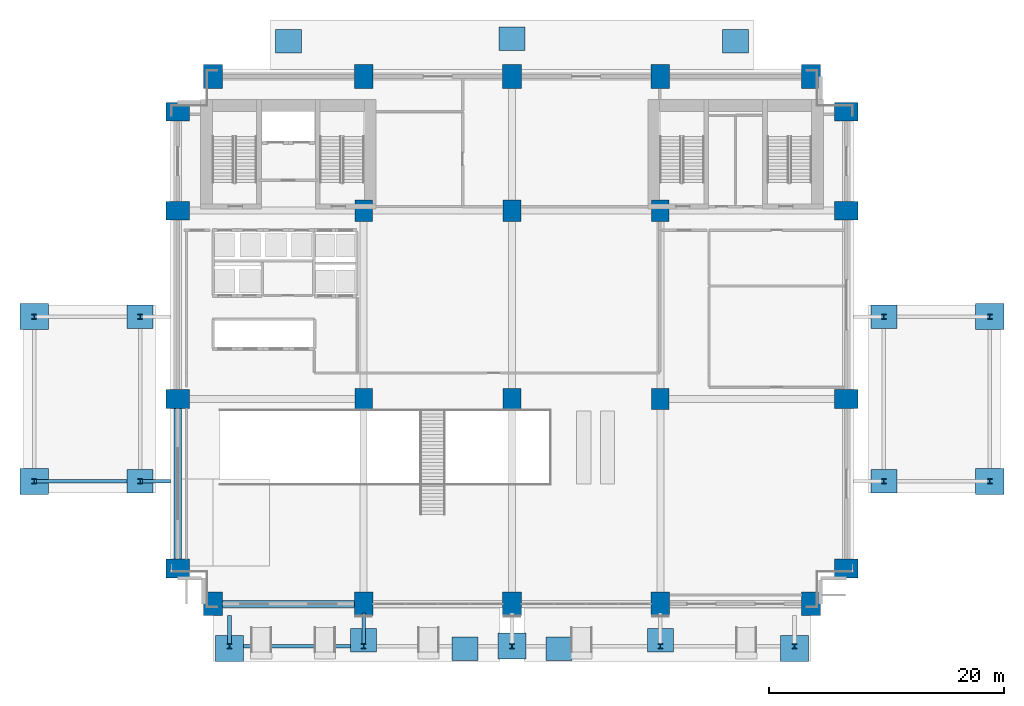
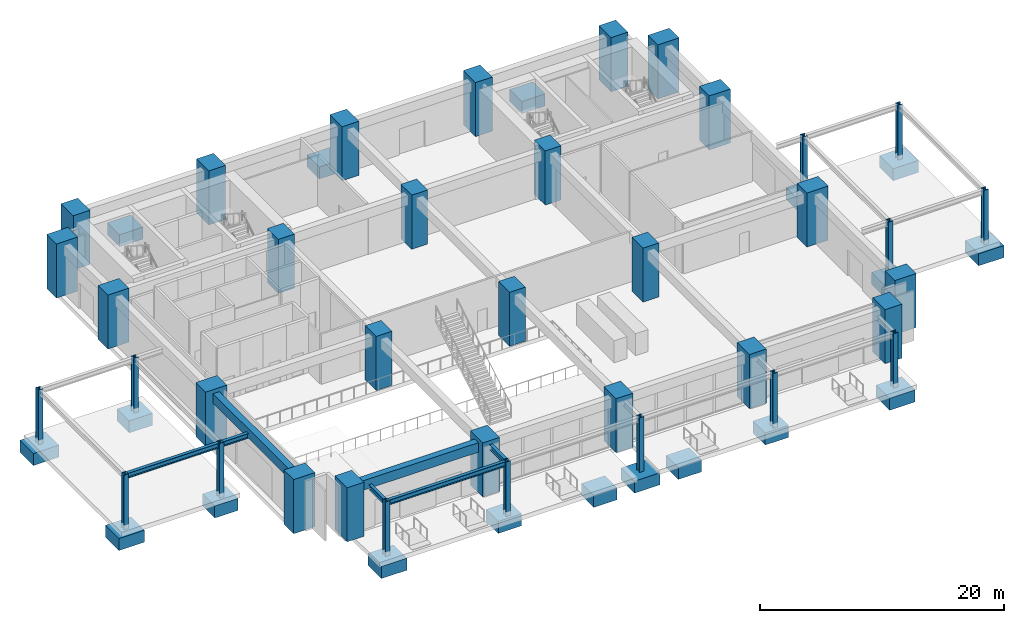
# One storey, part 1 of 14: 37 columns, 18 footings, 7 beams.
"""IFC4 building model written with IfcOpenShell, lengths in metres."""

from ifc_helpers import new_model, si_unit, direction, frame, origin, origin_2d, place, context, subcontext, project, spatial, polyline, rectangle, i_section, outline, extrude, material, layer, layer_set, material_profile, profile_set, type_object, element, save


model = new_model("IFC4")

# Units and contexts
model_context = context("Model", 3, precision=1e-05, world=origin(), true_north=direction((0.0, 1.0)))
body_context = subcontext(model_context, "Body", "Model", "MODEL_VIEW")
ifc_project = project(units=[si_unit("LENGTHUNIT", "METRE"), si_unit("AREAUNIT", "SQUARE_METRE"), si_unit("VOLUMEUNIT", "CUBIC_METRE"), si_unit("PLANEANGLEUNIT", "RADIAN"), si_unit("MASSUNIT", "GRAM", prefix="KILO")], contexts=[model_context])

# Site, building, storey
site_placement = place(None, origin())
site = spatial("IfcSite", under=ifc_project, at=site_placement, CompositionType="ELEMENT")
building_placement = place(site_placement, origin())
building = spatial("IfcBuilding", under=site, at=building_placement, Name="Sulina Concourse Tower", CompositionType="ELEMENT")
storey_placement = place(building_placement, origin())
storey = spatial("IfcBuildingStorey", under=building, at=storey_placement, Name="L00", CompositionType="ELEMENT", Elevation=0.0)

# Footings
ifc_material_1 = material(Name="Concrete C50/60", Category="concrete")
ifc_layer_1 = layer(ifc_material_1, 1.199951171875)
ifc_layer_set_1 = layer_set([ifc_layer_1], Name="Concrete C50/60")
footing_type_1 = type_object("IfcFootingType", Name="Station Canopy Pad Footing 2200x2000x1200", PredefinedType="PAD_FOOTING", material=ifc_layer_set_1)
footing_1_placement = place(storey_placement, frame((0.0, 0.0, -1.64990234375)))
element("IfcFooting", 1, at=footing_1_placement, inside=storey, type_object=footing_type_1, Name="Station pad footing S2", PredefinedType="PAD_FOOTING", context=body_context, shape_type="SweptSolid", body=[
    extrude(outline(polyline([(15.300048828125, -3.5), (17.5, -3.5), (17.5, -1.5), (15.300048828125, -1.5), (15.300048828125, -3.5)])), origin(), (0.0, 0.0, 1.0), 1.199951171875),
])
footing_2_placement = place(storey_placement, frame((0.0, 0.0, -1.64990234375)))
element("IfcFooting", 2, at=footing_2_placement, inside=storey, type_object=footing_type_1, Name="Station pad footing S3", PredefinedType="PAD_FOOTING", context=body_context, shape_type="SweptSolid", body=[
    extrude(outline(polyline([(23.89990234375, -4.199951171875), (26.10009765625, -4.199951171875), (26.10009765625, -2.199951171875), (23.89990234375, -2.199951171875), (23.89990234375, -4.199951171875)])), origin(), (0.0, 0.0, 1.0), 1.199951171875),
])
footing_3_placement = place(storey_placement, frame((0.0, 0.0, -1.64990234375)))
element("IfcFooting", 3, at=footing_3_placement, inside=storey, type_object=footing_type_1, Name="Station pad footing S4", PredefinedType="PAD_FOOTING", context=body_context, shape_type="SweptSolid", body=[
    extrude(outline(polyline([(31.89990234375, -4.199951171875), (34.10009765625, -4.199951171875), (34.10009765625, -2.199951171875), (31.89990234375, -2.199951171875), (31.89990234375, -4.199951171875)])), origin(), (0.0, 0.0, 1.0), 1.199951171875),
])
footing_4_placement = place(storey_placement, frame((0.0, 0.0, -1.64990234375)))
element("IfcFooting", 4, at=footing_4_placement, inside=storey, type_object=footing_type_1, Name="Station pad footing S5", PredefinedType="PAD_FOOTING", context=body_context, shape_type="SweptSolid", body=[
    extrude(outline(polyline([(40.5, -3.5), (42.699951171875, -3.5), (42.699951171875, -1.5), (40.5, -1.5), (40.5, -3.5)])), origin(), (0.0, 0.0, 1.0), 1.199951171875),
])
footing_5_placement = place(storey_placement, frame((0.0, 0.0, -1.64990234375)))
element("IfcFooting", 5, at=footing_5_placement, inside=storey, type_object=footing_type_1, Name="Station pad footing N1", PredefinedType="PAD_FOOTING", context=body_context, shape_type="SweptSolid", body=[
    extrude(outline(polyline([(8.89990234375, 47.39990234375), (11.10009765625, 47.39990234375), (11.10009765625, 49.39990234375), (8.89990234375, 49.39990234375), (8.89990234375, 47.39990234375)])), origin(), (0.0, 0.0, 1.0), 1.199951171875),
])
footing_6_placement = place(storey_placement, frame((0.0, 0.0, -1.64990234375)))
element("IfcFooting", 6, at=footing_6_placement, inside=storey, type_object=footing_type_1, Name="Station pad footing N2", PredefinedType="PAD_FOOTING", context=body_context, shape_type="SweptSolid", body=[
    extrude(outline(polyline([(27.89990234375, 47.60009765625), (30.10009765625, 47.60009765625), (30.10009765625, 49.60009765625), (27.89990234375, 49.60009765625), (27.89990234375, 47.60009765625)])), origin(), (0.0, 0.0, 1.0), 1.199951171875),
])
footing_7_placement = place(storey_placement, frame((0.0, 0.0, -1.64990234375)))
element("IfcFooting", 7, at=footing_7_placement, inside=storey, type_object=footing_type_1, Name="Station pad footing N3", PredefinedType="PAD_FOOTING", context=body_context, shape_type="SweptSolid", body=[
    extrude(outline(polyline([(46.89990234375, 47.39990234375), (49.10009765625, 47.39990234375), (49.10009765625, 49.39990234375), (46.89990234375, 49.39990234375), (46.89990234375, 47.39990234375)])), origin(), (0.0, 0.0, 1.0), 1.199951171875),
])
footing_8_placement = place(storey_placement, frame((0.0, 0.0, -1.64990234375)))
element("IfcFooting", 8, at=footing_8_placement, inside=storey, type_object=footing_type_1, Name="Station pad footing PW3", PredefinedType="PAD_FOOTING", context=body_context, shape_type="SweptSolid", body=[
    extrude(outline(polyline([(-3.699951171875, 10.0), (-1.5, 10.0), (-1.5, 12.0), (-3.699951171875, 12.0), (-3.699951171875, 10.0)])), origin(), (0.0, 0.0, 1.0), 1.199951171875),
])
footing_9_placement = place(storey_placement, frame((0.0, 0.0, -1.64990234375)))
element("IfcFooting", 9, at=footing_9_placement, inside=storey, type_object=footing_type_1, Name="Station pad footing PW4", PredefinedType="PAD_FOOTING", context=body_context, shape_type="SweptSolid", body=[
    extrude(outline(polyline([(-3.699951171875, 24.0), (-1.5, 24.0), (-1.5, 26.0), (-3.699951171875, 26.0), (-3.699951171875, 24.0)])), origin(), (0.0, 0.0, 1.0), 1.199951171875),
])
footing_10_placement = place(storey_placement, frame((0.0, 0.0, -1.64990234375)))
element("IfcFooting", 10, at=footing_10_placement, inside=storey, type_object=footing_type_1, Name="Station pad footing PE1", PredefinedType="PAD_FOOTING", context=body_context, shape_type="SweptSolid", body=[
    extrude(outline(polyline([(59.5, 10.0), (61.699951171875, 10.0), (61.699951171875, 12.0), (59.5, 12.0), (59.5, 10.0)])), origin(), (0.0, 0.0, 1.0), 1.199951171875),
])
footing_11_placement = place(storey_placement, frame((0.0, 0.0, -1.64990234375)))
element("IfcFooting", 11, at=footing_11_placement, inside=storey, type_object=footing_type_1, Name="Station pad footing PE2", PredefinedType="PAD_FOOTING", context=body_context, shape_type="SweptSolid", body=[
    extrude(outline(polyline([(59.5, 24.0), (61.699951171875, 24.0), (61.699951171875, 26.0), (59.5, 26.0), (59.5, 24.0)])), origin(), (0.0, 0.0, 1.0), 1.199951171875),
])
ifc_material_2 = material(Name="Concrete C50/60", Category="concrete")
ifc_layer_2 = layer(ifc_material_2, 1.199951171875)
ifc_layer_set_2 = layer_set([ifc_layer_2], Name="Concrete C50/60")
footing_type_2 = type_object("IfcFootingType", Name="Station Corner Canopy Pad Footing 2400x2200x1200", PredefinedType="PAD_FOOTING", material=ifc_layer_set_2)
footing_12_placement = place(storey_placement, frame((0.0, 0.0, -1.64990234375)))
element("IfcFooting", 12, at=footing_12_placement, inside=storey, type_object=footing_type_2, Name="Station pad footing S1", PredefinedType="PAD_FOOTING", context=body_context, shape_type="SweptSolid", body=[
    extrude(outline(polyline([(3.800048828125, -4.300048828125), (6.199951171875, -4.300048828125), (6.199951171875, -2.10009765625), (3.800048828125, -2.10009765625), (3.800048828125, -4.300048828125)])), origin(), (0.0, 0.0, 1.0), 1.199951171875),
])
footing_13_placement = place(storey_placement, frame((0.0, 0.0, -1.64990234375)))
element("IfcFooting", 13, at=footing_13_placement, inside=storey, type_object=footing_type_2, Name="Station pad footing S3B", PredefinedType="PAD_FOOTING", context=body_context, shape_type="SweptSolid", body=[
    extrude(outline(polyline([(27.800048828125, -4.10009765625), (30.199951171875, -4.10009765625), (30.199951171875, -1.89990234375), (27.800048828125, -1.89990234375), (27.800048828125, -4.10009765625)])), origin(), (0.0, 0.0, 1.0), 1.199951171875),
])
footing_14_placement = place(storey_placement, frame((0.0, 0.0, -1.64990234375)))
element("IfcFooting", 14, at=footing_14_placement, inside=storey, type_object=footing_type_2, Name="Station pad footing S6", PredefinedType="PAD_FOOTING", context=body_context, shape_type="SweptSolid", body=[
    extrude(outline(polyline([(51.800048828125, -4.300048828125), (54.199951171875, -4.300048828125), (54.199951171875, -2.10009765625), (51.800048828125, -2.10009765625), (51.800048828125, -4.300048828125)])), origin(), (0.0, 0.0, 1.0), 1.199951171875),
])
footing_15_placement = place(storey_placement, frame((0.0, 0.0, -1.64990234375)))
element("IfcFooting", 15, at=footing_15_placement, inside=storey, type_object=footing_type_2, Name="Station pad footing PW1", PredefinedType="PAD_FOOTING", context=body_context, shape_type="SweptSolid", body=[
    extrude(outline(polyline([(-12.800048828125, 9.89990234375), (-10.39990234375, 9.89990234375), (-10.39990234375, 12.10009765625), (-12.800048828125, 12.10009765625), (-12.800048828125, 9.89990234375)])), origin(), (0.0, 0.0, 1.0), 1.199951171875),
])
footing_16_placement = place(storey_placement, frame((0.0, 0.0, -1.64990234375)))
element("IfcFooting", 16, at=footing_16_placement, inside=storey, type_object=footing_type_2, Name="Station pad footing PW2", PredefinedType="PAD_FOOTING", context=body_context, shape_type="SweptSolid", body=[
    extrude(outline(polyline([(-12.800048828125, 23.89990234375), (-10.39990234375, 23.89990234375), (-10.39990234375, 26.10009765625), (-12.800048828125, 26.10009765625), (-12.800048828125, 23.89990234375)])), origin(), (0.0, 0.0, 1.0), 1.199951171875),
])
footing_17_placement = place(storey_placement, frame((0.0, 0.0, -1.64990234375)))
element("IfcFooting", 17, at=footing_17_placement, inside=storey, type_object=footing_type_2, Name="Station pad footing PE3", PredefinedType="PAD_FOOTING", context=body_context, shape_type="SweptSolid", body=[
    extrude(outline(polyline([(68.39990234375, 9.89990234375), (70.800048828125, 9.89990234375), (70.800048828125, 12.10009765625), (68.39990234375, 12.10009765625), (68.39990234375, 9.89990234375)])), origin(), (0.0, 0.0, 1.0), 1.199951171875),
])
footing_18_placement = place(storey_placement, frame((0.0, 0.0, -1.64990234375)))
element("IfcFooting", 18, at=footing_18_placement, inside=storey, type_object=footing_type_2, Name="Station pad footing PE4", PredefinedType="PAD_FOOTING", context=body_context, shape_type="SweptSolid", body=[
    extrude(outline(polyline([(68.39990234375, 23.89990234375), (70.800048828125, 23.89990234375), (70.800048828125, 26.10009765625), (68.39990234375, 26.10009765625), (68.39990234375, 23.89990234375)])), origin(), (0.0, 0.0, 1.0), 1.199951171875),
])

# Columns
ifc_material_3 = material(Name="Steel S355", Category="steel")
ifc_material_profile_1 = material_profile(ifc_material_3, i_section(OverallWidth=0.424072265625, OverallDepth=0.47412109375, WebThickness=0.051025390625, FlangeThickness=0.08203125, at=origin_2d()), Name="HD 400x634")
ifc_profile_set_1 = profile_set([ifc_material_profile_1], Name="Steel S355")
column_type_1 = type_object("IfcColumnType", Name="Forecourt Canopy Steel Column HD400x634", PredefinedType="COLUMN", material=ifc_profile_set_1)
for number, where, z_axis, x_axis, name in (
    (19, (5.0, -3.0, -0.449951171875), (0.0, 0.0, 1.0), (1.0, 0.0, 0.0), "L00 structural column CN-P1"),
    (20, (16.39990234375, -3.0, -0.449951171875), (0.0, 0.0, 1.0), (1.0, 0.0, 0.0), "L00 structural column CN-P2"),
    (21, (29.0, -3.0, -0.449951171875), (0.0, 0.0, 1.0), (1.0, 0.0, 0.0), "L00 structural column CN-P3"),
    (22, (41.60009765625, -3.0, -0.449951171875), (0.0, 0.0, 1.0), (1.0, 0.0, 0.0), "L00 structural column CN-P4"),
    (23, (53.0, -3.0, -0.449951171875), (0.0, 0.0, 1.0), (1.0, 0.0, 0.0), "L00 structural column CN-P5"),
    (24, (-11.60009765625, 11.0, -0.449951171875), (0.0, 0.0, 1.0), (1.0, 0.0, 0.0), "L00 structural column CN-PW1"),
    (25, (-2.60009765625, 11.0, -0.449951171875), (0.0, 0.0, 1.0), (1.0, 0.0, 0.0), "L00 structural column CN-PW21"),
    (26, (60.60009765625, 11.0, -0.449951171875), (0.0, 0.0, 1.0), (1.0, 0.0, 0.0), "L00 structural column CN-PE21"),
    (27, (69.60009765625, 11.0, -0.449951171875), (0.0, 0.0, 1.0), (1.0, 0.0, 0.0), "L00 structural column CN-PE1"),
    (28, (-11.60009765625, 25.0, -0.449951171875), (0.0, 0.0, 1.0), (1.0, 0.0, 0.0), "L00 structural column CN-PW2"),
    (29, (-2.60009765625, 25.0, -0.449951171875), (0.0, 0.0, 1.0), (1.0, 0.0, 0.0), "L00 structural column CN-PW22"),
    (30, (60.60009765625, 25.0, -0.449951171875), (0.0, 0.0, 1.0), (1.0, 0.0, 0.0), "L00 structural column CN-PE22"),
    (31, (69.60009765625, 25.0, -0.449951171875), (0.0, 0.0, 1.0), (1.0, 0.0, 0.0), "L00 structural column CN-PE2"),
):
    element("IfcColumn", number, at=place(storey_placement, frame(where, z_axis=z_axis, x_axis=x_axis)), inside=storey, type_object=column_type_1, Name=name, PredefinedType="COLUMN", context=body_context, shape_type="SweptSolid", body=[
        extrude(i_section(OverallWidth=0.424072265625, OverallDepth=0.47412109375, WebThickness=0.051025390625, FlangeThickness=0.08203125, at=origin_2d()), origin(), (0.0, 0.0, 1.0), 5.449951171875),
    ])
ifc_material_4 = material(Name="Concrete C80/95", Category="concrete")
ifc_material_profile_2 = material_profile(ifc_material_4, rectangle(XDim=1.5, YDim=1.800048828125, at=origin_2d()), Name="RC 1500x1800")
ifc_profile_set_2 = profile_set([ifc_material_profile_2], Name="Concrete C80/95")
column_type_2 = type_object("IfcColumnType", Name="Station Concourse Mega-Column 1500x1800", PredefinedType="COLUMN", material=ifc_profile_set_2)
for number, where, z_axis, x_axis, name in (
    (32, (16.39990234375, 18.0, 0.0), (0.0, 0.0, 1.0), (1.0, 0.0, 0.0), "L00 structural column MC-M1"),
    (33, (16.39990234375, 34.0, 0.0), (0.0, 0.0, 1.0), (1.0, 0.0, 0.0), "L00 structural column MC-C1"),
    (34, (29.0, 18.0, 0.0), (0.0, 0.0, 1.0), (1.0, 0.0, 0.0), "L00 structural column MC-M2"),
    (35, (29.0, 34.0, 0.0), (0.0, 0.0, 1.0), (1.0, 0.0, 0.0), "L00 structural column MC-C2"),
    (36, (41.60009765625, 18.0, 0.0), (0.0, 0.0, 1.0), (1.0, 0.0, 0.0), "L00 structural column MC-M3"),
    (37, (41.60009765625, 34.0, 0.0), (0.0, 0.0, 1.0), (1.0, 0.0, 0.0), "L00 structural column MC-C3"),
):
    element("IfcColumn", number, at=place(storey_placement, frame(where, z_axis=z_axis, x_axis=x_axis)), inside=storey, type_object=column_type_2, Name=name, PredefinedType="COLUMN", context=body_context, shape_type="SweptSolid", body=[
        extrude(rectangle(XDim=1.5, YDim=1.800048828125, at=origin_2d()), origin(), (0.0, 0.0, 1.0), 5.39990234375),
    ])
ifc_material_5 = material(Name="Concrete C80/95", Category="concrete")
ifc_material_profile_3 = material_profile(ifc_material_5, rectangle(XDim=1.60009765625, YDim=2.0, at=origin_2d()), Name="RC 1600x2000")
ifc_profile_set_3 = profile_set([ifc_material_profile_3], Name="Concrete C80/95")
column_type_3 = type_object("IfcColumnType", Name="Station Concourse Mega-Column 1600x2000", PredefinedType="COLUMN", material=ifc_profile_set_3)
for number, where, z_axis, x_axis, name in (
    (38, (3.60009765625, 0.60009765625, 0.0), (0.0, 0.0, 1.0), (1.0, 0.0, 0.0), "L00 structural column MC-S1"),
    (39, (3.60009765625, 45.39990234375, 0.0), (0.0, 0.0, 1.0), (1.0, 0.0, 0.0), "L00 structural column MC-N1"),
    (40, (16.39990234375, 0.60009765625, 0.0), (0.0, 0.0, 1.0), (1.0, 0.0, 0.0), "L00 structural column MC-S2"),
    (41, (16.39990234375, 45.39990234375, 0.0), (0.0, 0.0, 1.0), (1.0, 0.0, 0.0), "L00 structural column MC-N2"),
    (42, (29.0, 0.60009765625, 0.0), (0.0, 0.0, 1.0), (1.0, 0.0, 0.0), "L00 structural column MC-S3"),
    (43, (29.0, 45.39990234375, 0.0), (0.0, 0.0, 1.0), (1.0, 0.0, 0.0), "L00 structural column MC-N3"),
    (44, (41.60009765625, 0.60009765625, 0.0), (0.0, 0.0, 1.0), (1.0, 0.0, 0.0), "L00 structural column MC-S4"),
    (45, (41.60009765625, 45.39990234375, 0.0), (0.0, 0.0, 1.0), (1.0, 0.0, 0.0), "L00 structural column MC-N4"),
    (46, (54.39990234375, 0.60009765625, 0.0), (0.0, 0.0, 1.0), (1.0, 0.0, 0.0), "L00 structural column MC-S5"),
    (47, (54.39990234375, 45.39990234375, 0.0), (0.0, 0.0, 1.0), (1.0, 0.0, 0.0), "L00 structural column MC-N5"),
    (48, (0.60009765625, 3.60009765625, 0.0), (0.0, 0.0, 1.0), (0.0, 1.0, 0.0), "L00 structural column MC-W1"),
    (49, (57.39990234375, 3.60009765625, 0.0), (0.0, 0.0, 1.0), (0.0, 1.0, 0.0), "L00 structural column MC-E1"),
    (50, (0.60009765625, 18.0, 0.0), (0.0, 0.0, 1.0), (0.0, 1.0, 0.0), "L00 structural column MC-W2"),
    (51, (57.39990234375, 18.0, 0.0), (0.0, 0.0, 1.0), (0.0, 1.0, 0.0), "L00 structural column MC-E2"),
    (52, (0.60009765625, 34.0, 0.0), (0.0, 0.0, 1.0), (0.0, 1.0, 0.0), "L00 structural column MC-W3"),
    (53, (57.39990234375, 34.0, 0.0), (0.0, 0.0, 1.0), (0.0, 1.0, 0.0), "L00 structural column MC-E3"),
    (54, (0.60009765625, 42.39990234375, 0.0), (0.0, 0.0, 1.0), (0.0, 1.0, 0.0), "L00 structural column MC-W4"),
    (55, (57.39990234375, 42.39990234375, 0.0), (0.0, 0.0, 1.0), (0.0, 1.0, 0.0), "L00 structural column MC-E4"),
):
    element("IfcColumn", number, at=place(storey_placement, frame(where, z_axis=z_axis, x_axis=x_axis)), inside=storey, type_object=column_type_3, Name=name, PredefinedType="COLUMN", context=body_context, shape_type="SweptSolid", body=[
        extrude(rectangle(XDim=1.60009765625, YDim=2.0, at=origin_2d()), origin(), (0.0, 0.0, 1.0), 5.39990234375),
    ])

# Beams
ifc_material_6 = material(Name="Concrete C60/75", Category="concrete")
ifc_material_profile_4 = material_profile(ifc_material_6, rectangle(XDim=0.60009765625, YDim=0.949951171875, at=origin_2d()), Name="RC 600x950")
ifc_profile_set_4 = profile_set([ifc_material_profile_4], Name="Concrete C60/75")
beam_type_1 = type_object("IfcBeamType", Name="Basement & Podium Primary Beam 600x950", PredefinedType="BEAM", material=ifc_profile_set_4)
beam_1_placement = place(storey_placement, frame((4.3798828125, 0.60009765625, 4.52490234375), z_axis=(1.0, 0.0, 0.0), x_axis=(0.0, 1.0, 0.0)))
element("IfcBeam", 56, at=beam_1_placement, inside=storey, type_object=beam_type_1, Name="PB-S1-L00", PredefinedType="BEAM", context=body_context, shape_type="SweptSolid", body=[
    extrude(rectangle(XDim=0.60009765625, YDim=0.949951171875, at=origin_2d()), origin(), (0.0, 0.0, 1.0), 11.240234375),
])
beam_2_placement = place(storey_placement, frame((0.60009765625, 4.3798828125, 4.52490234375), z_axis=(0.0, 1.0, 0.0), x_axis=(-1.0, 0.0, 0.0)))
element("IfcBeam", 57, at=beam_2_placement, inside=storey, type_object=beam_type_1, Name="PB-W1-L00", PredefinedType="BEAM", context=body_context, shape_type="SweptSolid", body=[
    extrude(rectangle(XDim=0.60009765625, YDim=0.949951171875, at=origin_2d()), origin(), (0.0, 0.0, 1.0), 12.840087890625),
])
ifc_material_7 = material(Name="Steel S355", Category="steel")
ifc_material_profile_5 = material_profile(ifc_material_7, i_section(OverallWidth=0.300048828125, OverallDepth=0.5, WebThickness=0.014404296875, FlangeThickness=0.028076171875, at=origin_2d()), Name="HE 500 B")
ifc_profile_set_5 = profile_set([ifc_material_profile_5], Name="Steel S355")
beam_type_2 = type_object("IfcBeamType", Name="Crown & Canopy Primary Girder HE500B", PredefinedType="BEAM", material=ifc_profile_set_5)
beam_3_placement = place(storey_placement, frame((5.2099609375, -3.0, 4.75), z_axis=(1.0, 0.0, 0.0), x_axis=(0.0, 1.0, 0.0)))
element("IfcBeam", 58, at=beam_3_placement, inside=storey, type_object=beam_type_2, Name="CN-G1-L00", PredefinedType="BEAM", context=body_context, shape_type="SweptSolid", body=[
    extrude(i_section(OverallWidth=0.300048828125, OverallDepth=0.5, WebThickness=0.014404296875, FlangeThickness=0.028076171875, at=origin_2d()), origin(), (0.0, 0.0, 1.0), 10.97998046875),
])
beam_4_placement = place(storey_placement, frame((5.0, -2.760009765625, 4.75), z_axis=(0.0, 1.0, 0.0), x_axis=(-1.0, 0.0, 0.0)))
element("IfcBeam", 59, at=beam_4_placement, inside=storey, type_object=beam_type_2, Name="CN-T1-L00", PredefinedType="BEAM", context=body_context, shape_type="SweptSolid", body=[
    extrude(i_section(OverallWidth=0.300048828125, OverallDepth=0.5, WebThickness=0.014404296875, FlangeThickness=0.028076171875, at=origin_2d()), origin(), (0.0, 0.0, 1.0), 2.360107421875),
])
beam_5_placement = place(storey_placement, frame((16.39990234375, -2.760009765625, 4.75), z_axis=(0.0, 1.0, 0.0), x_axis=(-1.0, 0.0, 0.0)))
element("IfcBeam", 60, at=beam_5_placement, inside=storey, type_object=beam_type_2, Name="CN-T2-L00", PredefinedType="BEAM", context=body_context, shape_type="SweptSolid", body=[
    extrude(i_section(OverallWidth=0.300048828125, OverallDepth=0.5, WebThickness=0.014404296875, FlangeThickness=0.028076171875, at=origin_2d()), origin(), (0.0, 0.0, 1.0), 2.580078125),
])
beam_6_placement = place(storey_placement, frame((-11.389892578125, 11.0, 4.75), z_axis=(1.0, 0.0, 0.0), x_axis=(0.0, 1.0, 0.0)))
element("IfcBeam", 61, at=beam_6_placement, inside=storey, type_object=beam_type_2, Name="CN-WG1-1-L00", PredefinedType="BEAM", context=body_context, shape_type="SweptSolid", body=[
    extrude(i_section(OverallWidth=0.300048828125, OverallDepth=0.5, WebThickness=0.014404296875, FlangeThickness=0.028076171875, at=origin_2d()), origin(), (0.0, 0.0, 1.0), 8.579833984375),
])
beam_7_placement = place(storey_placement, frame((-2.389892578125, 11.0, 4.75), z_axis=(1.0, 0.0, 0.0), x_axis=(0.0, 1.0, 0.0)))
element("IfcBeam", 62, at=beam_7_placement, inside=storey, type_object=beam_type_2, Name="CN-WG2-1-L00", PredefinedType="BEAM", context=body_context, shape_type="SweptSolid", body=[
    extrude(i_section(OverallWidth=0.300048828125, OverallDepth=0.5, WebThickness=0.014404296875, FlangeThickness=0.028076171875, at=origin_2d()), origin(), (0.0, 0.0, 1.0), 2.369873046875),
])

save(model, "model.ifc")
